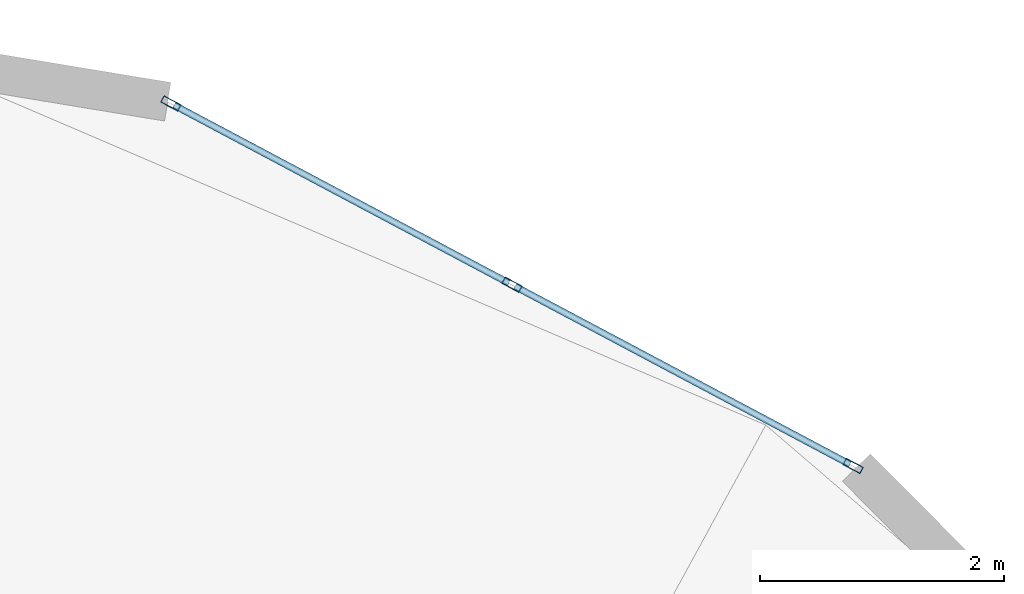
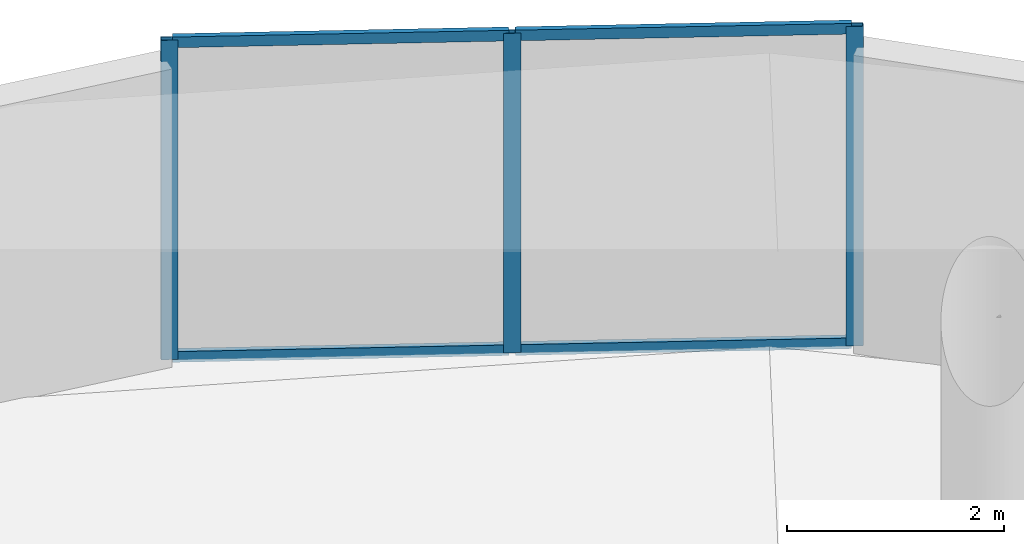
# One storey, part 15 of 21: 7 members, 1 element without a shape of its own.
"""IFC4 building model written with IfcOpenShell, lengths in metres."""

from ifc_helpers import new_model, si_unit, direction, frame, origin, origin_2d, place, context, subcontext, project, spatial, hollow_rectangle, extrude, source, transform, mapped, material, layer, layer_set, material_profile, profile_set, type_object, element, aggregate, save


model = new_model("IFC4")

# Units and contexts
model_context = context("Model", 3, precision=1e-05, world=origin(), true_north=direction((0.0, 1.0)))
body_context = subcontext(model_context, "Body", "Model", "MODEL_VIEW")
ifc_project = project(units=[si_unit("LENGTHUNIT", "METRE"), si_unit("AREAUNIT", "SQUARE_METRE"), si_unit("VOLUMEUNIT", "CUBIC_METRE"), si_unit("PLANEANGLEUNIT", "RADIAN"), si_unit("MASSUNIT", "GRAM", prefix="KILO")], contexts=[model_context])

# Site, building, storey
site_placement = place(None, origin())
site = spatial("IfcSite", under=ifc_project, at=site_placement, CompositionType="ELEMENT")
building_placement = place(site_placement, origin())
building = spatial("IfcBuilding", under=site, at=building_placement, Name="Solvirekh Grand Hotel", CompositionType="ELEMENT")
storey_placement = place(building_placement, frame((0.0, 0.0, 216.39990234375)))
storey = spatial("IfcBuildingStorey", under=building, at=storey_placement, Name="L56", CompositionType="ELEMENT", Elevation=216.39990234375)

# Curtain wall, members
ifc_material = material(Name="Anodized Bronze Aluminium 6063-T6", Category="aluminium")
ifc_layer = layer(ifc_material, 0.159912109375)
ifc_layer_set = layer_set([ifc_layer], Name="Anodized Bronze Aluminium 6063-T6")
curtain_wall_type = type_object("IfcCurtainWallType", Name="CW_Sys4_HighZoneFlushBronzeCW", PredefinedType="NOTDEFINED", material=ifc_layer_set)
curtain_wall_placement = place(storey_placement, origin())
curtain_wall = element("IfcCurtainWall", 1, at=curtain_wall_placement, inside=storey, type_object=curtain_wall_type, Name="L56 unitised bronze-glass curtain wall CW-L56-C08", PredefinedType="NOTDEFINED")
ifc_material_profile_1 = material_profile(ifc_material, hollow_rectangle(XDim=0.06005859375, YDim=0.159912109375, WallThickness=0.0048828125, at=origin_2d()), Name="ALU RHS 160X60X5")
ifc_profile_set_1 = profile_set([ifc_material_profile_1], Name="Anodized Bronze Aluminium 6063-T6")
member_type_1 = type_object("IfcMemberType", Name="CWMullion_Sys4", PredefinedType="MULLION", material=ifc_profile_set_1)
shared_shape_1 = source(origin(), body_context, "Body", "SweptSolid", [
    extrude(hollow_rectangle(XDim=0.06005859375, YDim=0.159912109375, WallThickness=0.0048828125, at=origin_2d()), origin(), (0.0, 0.0, 1.0), 3.60009765625),
])
member_1_placement = place(storey_placement, frame((8.62841796875, 17.43701171875, 0.0), z_axis=(0.0, 0.0, 1.0), x_axis=(-0.469239144829, -0.883071132447, 0.0)))
member_1 = element("IfcMember", 2, at=member_1_placement, type_object=member_type_1, Name="U04 mullion 1", PredefinedType="MULLION", context=body_context, shape_type="MappedRepresentation", body=[
    mapped(shared_shape_1, transform((0.0, 0.0, 0.0), x_axis=(1.0, 0.0, 0.0), y_axis=(0.0, 1.0, 0.0), z_axis=(0.0, 0.0, 1.0), scale=1.0)),
])
member_2_placement = place(storey_placement, frame((5.833984375, 18.922119140625, 0.0), z_axis=(0.0, 0.0, 1.0), x_axis=(-0.469239144829, -0.883071132447, 0.0)))
member_2 = element("IfcMember", 3, at=member_2_placement, type_object=member_type_1, Name="U04 mullion 2", PredefinedType="MULLION", context=body_context, shape_type="MappedRepresentation", body=[
    mapped(shared_shape_1, transform((0.0, 0.0, 0.0), x_axis=(1.0, 0.0, 0.0), y_axis=(0.0, 1.0, 0.0), z_axis=(0.0, 0.0, 1.0), scale=1.0)),
])
member_3_placement = place(storey_placement, frame((3.03955078125, 20.406982421875, 0.0), z_axis=(0.0, 0.0, 1.0), x_axis=(-0.469239144829, -0.883071132447, 0.0)))
member_3 = element("IfcMember", 4, at=member_3_placement, type_object=member_type_1, Name="U04 mullion 3", PredefinedType="MULLION", context=body_context, shape_type="MappedRepresentation", body=[
    mapped(shared_shape_1, transform((0.0, 0.0, 0.0), x_axis=(1.0, 0.0, 0.0), y_axis=(0.0, 1.0, 0.0), z_axis=(0.0, 0.0, 1.0), scale=1.0)),
])
ifc_material_profile_2 = material_profile(ifc_material, hollow_rectangle(XDim=0.054931640625, YDim=0.1201171875, WallThickness=0.00390625, at=origin_2d()), Name="ALU RHS 120X55X4")
ifc_profile_set_2 = profile_set([ifc_material_profile_2], Name="Anodized Bronze Aluminium 6063-T6")
member_type_2 = type_object("IfcMemberType", Name="CWTransom_Sys4", PredefinedType="USERDEFINED", material=ifc_profile_set_2)
shared_shape_2 = source(origin(), body_context, "Body", "SweptSolid", [
    extrude(hollow_rectangle(XDim=0.054931640625, YDim=0.1201171875, WallThickness=0.00390625, at=origin_2d()), origin(), (0.0, 0.0, 1.0), 3.1044921875),
])
member_4_placement = place(storey_placement, frame((8.60205078125, 17.451171875, 0.027587890625), z_axis=(-0.883063785597, 0.46925297076, 0.0), x_axis=(-0.46925297076, -0.883063785597, 0.0)))
member_4 = element("IfcMember", 5, at=member_4_placement, type_object=member_type_2, Name="U04 transom 1.1", ObjectType="TRANSOM", PredefinedType="USERDEFINED", context=body_context, shape_type="MappedRepresentation", body=[
    mapped(shared_shape_2, transform((0.0, 0.0, 0.0), x_axis=(1.0, 0.0, 0.0), y_axis=(0.0, 1.0, 0.0), z_axis=(0.0, 0.0, 1.0), scale=1.0)),
])
member_5_placement = place(storey_placement, frame((8.60205078125, 17.451171875, 3.572509765625), z_axis=(-0.883063785597, 0.46925297076, 0.0), x_axis=(-0.46925297076, -0.883063785597, 0.0)))
member_5 = element("IfcMember", 6, at=member_5_placement, type_object=member_type_2, Name="U04 transom 1.2", ObjectType="TRANSOM", PredefinedType="USERDEFINED", context=body_context, shape_type="MappedRepresentation", body=[
    mapped(shared_shape_2, transform((0.0, 0.0, 0.0), x_axis=(1.0, 0.0, 0.0), y_axis=(0.0, 1.0, 0.0), z_axis=(0.0, 0.0, 1.0), scale=1.0)),
])
shared_shape_3 = source(origin(), body_context, "Body", "SweptSolid", [
    extrude(hollow_rectangle(XDim=0.054931640625, YDim=0.1201171875, WallThickness=0.00390625, at=origin_2d()), origin(), (0.0, 0.0, 1.0), 3.104736328125),
])
member_6_placement = place(storey_placement, frame((5.8076171875, 18.93603515625, 0.027587890625), z_axis=(-0.88308110049, 0.469220385274, 0.0), x_axis=(-0.469220385274, -0.88308110049, 0.0)))
member_6 = element("IfcMember", 7, at=member_6_placement, type_object=member_type_2, Name="U04 transom 2.1", ObjectType="TRANSOM", PredefinedType="USERDEFINED", context=body_context, shape_type="MappedRepresentation", body=[
    mapped(shared_shape_3, transform((0.0, 0.0, 0.0), x_axis=(1.0, 0.0, 0.0), y_axis=(0.0, 1.0, 0.0), z_axis=(0.0, 0.0, 1.0), scale=1.0)),
])
member_7_placement = place(storey_placement, frame((5.8076171875, 18.93603515625, 3.572509765625), z_axis=(-0.88308110049, 0.469220385274, 0.0), x_axis=(-0.469220385274, -0.88308110049, 0.0)))
member_7 = element("IfcMember", 8, at=member_7_placement, type_object=member_type_2, Name="U04 transom 2.2", ObjectType="TRANSOM", PredefinedType="USERDEFINED", context=body_context, shape_type="MappedRepresentation", body=[
    mapped(shared_shape_3, transform((0.0, 0.0, 0.0), x_axis=(1.0, 0.0, 0.0), y_axis=(0.0, 1.0, 0.0), z_axis=(0.0, 0.0, 1.0), scale=1.0)),
])
aggregate(curtain_wall, [member_1, member_2, member_3, member_4, member_5, member_6, member_7])

save(model, "model.ifc")
